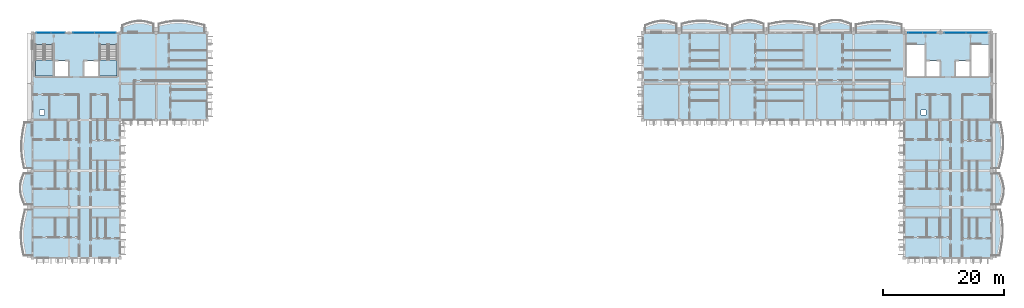
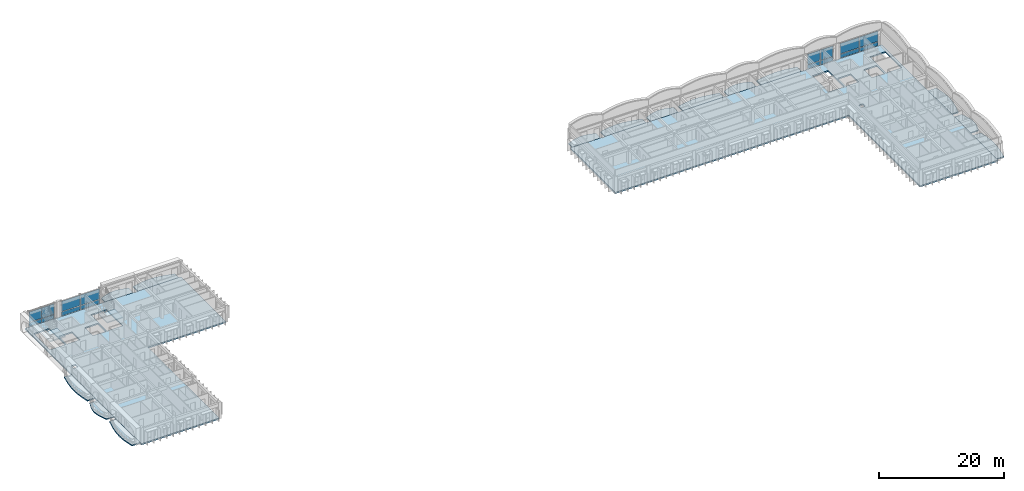
# One storey, part 5 of 28: 18 slabs, 16 plates, 6 elements without a shape of their own.
"""IFC4 building model written with IfcOpenShell, lengths in metres."""

from ifc_helpers import new_model, si_unit, direction, frame, origin, origin_2d, place, context, subcontext, project, spatial, polyline, rectangle, outline, extrude, material, layer, layer_set, type_object, element, aggregate, save


model = new_model("IFC4")

# Units and contexts
model_context = context("Model", 3, precision=1e-05, world=origin(), true_north=direction((0.0, 1.0)))
body_context = subcontext(model_context, "Body", "Model", "MODEL_VIEW")
ifc_project = project(units=[si_unit("LENGTHUNIT", "METRE"), si_unit("AREAUNIT", "SQUARE_METRE"), si_unit("VOLUMEUNIT", "CUBIC_METRE"), si_unit("PLANEANGLEUNIT", "RADIAN"), si_unit("MASSUNIT", "GRAM", prefix="KILO"), si_unit("THERMODYNAMICTEMPERATUREUNIT", "KELVIN")], contexts=[model_context])

# Site, building, storey
site_placement = place(None, origin())
site = spatial("IfcSite", under=ifc_project, at=site_placement, CompositionType="ELEMENT")
building_placement = place(site_placement, origin())
building = spatial("IfcBuilding", under=site, at=building_placement, Name="Thalorik Housing Commons", CompositionType="ELEMENT")
storey_placement = place(building_placement, frame((0.0, 0.0, 41.10009765625)))
storey = spatial("IfcBuildingStorey", under=building, at=storey_placement, Name="L12", CompositionType="ELEMENT", Elevation=41.10009765625)

# Curtain wall, plates
ifc_material_1 = material(Name="Anodised aluminium and solar-control low-E glass", Category="aluminium")
curtain_wall_type = type_object("IfcCurtainWallType", Name="ARC-CW-CORE", PredefinedType="USERDEFINED", material=ifc_material_1)
curtain_wall_1_placement = place(storey_placement, origin())
curtain_wall_1 = element("IfcCurtainWall", 1, at=curtain_wall_1_placement, inside=storey, type_object=curtain_wall_type, Name="L12 Curtain Wall CW-CORE-L12-A-054", ObjectType="CURTAIN WALL", PredefinedType="USERDEFINED")
ifc_material_2 = material(Name="Cobalt blue enamelled aluminium spandrel panel", Category="aluminium")
ifc_layer_1 = layer(ifc_material_2, 0.0458984375, Name="Cobalt blue enamelled aluminium spandrel panel", Category="aluminium")
ifc_layer_set_1 = layer_set([ifc_layer_1], Name="Cobalt blue enamelled aluminium spandrel panel")
plate_type_1 = type_object("IfcPlateType", Name="ARC-CP-BLU-46", PredefinedType="CURTAIN_PANEL", material=ifc_layer_set_1)
plate_1_placement = place(storey_placement, frame((12.574951171875, 123.60009765625, 0.080078125), z_axis=(0.0, 0.0, 1.0), x_axis=(-1.0, 0.0, 0.0)))
plate_1 = element("IfcPlate", 2, at=plate_1_placement, type_object=plate_type_1, Name="CW-CORE-L12-A-054 Spandrel Panel 1", PredefinedType="CURTAIN_PANEL", context=body_context, shape_type="SweptSolid", body=[
    extrude(rectangle(XDim=2.2900390625, YDim=0.0458984375, at=origin_2d()), origin(), (0.0, 0.0, 1.0), 0.760009765625),
])
plate_2_placement = place(storey_placement, frame((10.22509765625, 123.60009765625, 0.080078125), z_axis=(0.0, 0.0, 1.0), x_axis=(-1.0, 0.0, 0.0)))
plate_2 = element("IfcPlate", 3, at=plate_2_placement, type_object=plate_type_1, Name="CW-CORE-L12-A-054 Spandrel Panel 2", PredefinedType="CURTAIN_PANEL", context=body_context, shape_type="SweptSolid", body=[
    extrude(rectangle(XDim=2.2900390625, YDim=0.0458984375, at=origin_2d()), origin(), (0.0, 0.0, 1.0), 0.760009765625),
])

curtain_wall_2_placement = place(storey_placement, origin())
curtain_wall_2 = element("IfcCurtainWall", 4, at=curtain_wall_2_placement, inside=storey, type_object=curtain_wall_type, Name="L12 Curtain Wall CW-CORE-L12-A-053", ObjectType="CURTAIN WALL", PredefinedType="USERDEFINED")
ifc_material_3 = material(Name="Double solar-control low-E glass", Category="glass")
ifc_layer_2 = layer(ifc_material_3, 0.028076171875, Name="Double solar-control low-E glass", Category="glass")
ifc_layer_set_2 = layer_set([ifc_layer_2], Name="Double solar-control low-E glass")
plate_type_2 = type_object("IfcPlateType", Name="ARC-CP-GLZ-28", PredefinedType="CURTAIN_PANEL", material=ifc_layer_set_2)
plate_3_placement = place(storey_placement, frame((20.375, 123.60009765625, 0.919921875), z_axis=(0.0, 0.0, 1.0), x_axis=(-1.0, 0.0, 0.0)))
plate_3 = element("IfcPlate", 5, at=plate_3_placement, type_object=plate_type_2, Name="CW-CORE-L12-A-053 Vision Panel 1", PredefinedType="CURTAIN_PANEL", context=body_context, shape_type="SweptSolid", body=[
    extrude(rectangle(XDim=3.489990234375, YDim=0.028076171875, at=origin_2d()), origin(), (0.0, 0.0, 1.0), 2.0400390625),
])
plate_4_placement = place(storey_placement, frame((16.824951171875, 123.60009765625, 0.919921875), z_axis=(0.0, 0.0, 1.0), x_axis=(-1.0, 0.0, 0.0)))
plate_4 = element("IfcPlate", 6, at=plate_4_placement, type_object=plate_type_2, Name="CW-CORE-L12-A-053 Vision Panel 2", PredefinedType="CURTAIN_PANEL", context=body_context, shape_type="SweptSolid", body=[
    extrude(rectangle(XDim=3.489990234375, YDim=0.028076171875, at=origin_2d()), origin(), (0.0, 0.0, 1.0), 2.0400390625),
])

# Plate
plate_5_placement = place(storey_placement, frame((12.574951171875, 123.60009765625, 0.919921875), z_axis=(0.0, 0.0, 1.0), x_axis=(-1.0, 0.0, 0.0)))
plate_5 = element("IfcPlate", 7, at=plate_5_placement, type_object=plate_type_2, Name="CW-CORE-L12-A-054 Vision Panel 1", PredefinedType="CURTAIN_PANEL", context=body_context, shape_type="SweptSolid", body=[
    extrude(rectangle(XDim=2.2900390625, YDim=0.028076171875, at=origin_2d()), origin(), (0.0, 0.0, 1.0), 2.0400390625),
])

plate_6_placement = place(storey_placement, frame((10.22509765625, 123.60009765625, 0.919921875), z_axis=(0.0, 0.0, 1.0), x_axis=(-1.0, 0.0, 0.0)))
plate_6 = element("IfcPlate", 8, at=plate_6_placement, type_object=plate_type_2, Name="CW-CORE-L12-A-054 Vision Panel 2", PredefinedType="CURTAIN_PANEL", context=body_context, shape_type="SweptSolid", body=[
    extrude(rectangle(XDim=2.2900390625, YDim=0.028076171875, at=origin_2d()), origin(), (0.0, 0.0, 1.0), 2.0400390625),
])

aggregate(curtain_wall_1, [plate_1, plate_5, plate_2, plate_6])

# Curtain wall, plates
curtain_wall_3_placement = place(storey_placement, origin())
curtain_wall_3 = element("IfcCurtainWall", 9, at=curtain_wall_3_placement, inside=storey, type_object=curtain_wall_type, Name="L12 Curtain Wall CW-CORE-L12-B-125", ObjectType="CURTAIN WALL", PredefinedType="USERDEFINED")
plate_7_placement = place(storey_placement, frame((164.375, 123.60009765625, 0.919921875), z_axis=(0.0, 0.0, 1.0), x_axis=(-1.0, 0.0, 0.0)))
plate_7 = element("IfcPlate", 10, at=plate_7_placement, type_object=plate_type_2, Name="CW-CORE-L12-B-125 Vision Panel 1", PredefinedType="CURTAIN_PANEL", context=body_context, shape_type="SweptSolid", body=[
    extrude(rectangle(XDim=3.489990234375, YDim=0.028076171875, at=origin_2d()), origin(), (0.0, 0.0, 1.0), 2.0400390625),
])
plate_8_placement = place(storey_placement, frame((160.824951171875, 123.60009765625, 0.919921875), z_axis=(0.0, 0.0, 1.0), x_axis=(-1.0, 0.0, 0.0)))
plate_8 = element("IfcPlate", 11, at=plate_8_placement, type_object=plate_type_2, Name="CW-CORE-L12-B-125 Vision Panel 2", PredefinedType="CURTAIN_PANEL", context=body_context, shape_type="SweptSolid", body=[
    extrude(rectangle(XDim=3.489990234375, YDim=0.028076171875, at=origin_2d()), origin(), (0.0, 0.0, 1.0), 2.0400390625),
])

curtain_wall_4_placement = place(storey_placement, origin())
curtain_wall_4 = element("IfcCurtainWall", 12, at=curtain_wall_4_placement, inside=storey, type_object=curtain_wall_type, Name="L12 Curtain Wall CW-CORE-L12-B-126", ObjectType="CURTAIN WALL", PredefinedType="USERDEFINED")
plate_9_placement = place(storey_placement, frame((156.574951171875, 123.60009765625, 0.919921875), z_axis=(0.0, 0.0, 1.0), x_axis=(-1.0, 0.0, 0.0)))
plate_9 = element("IfcPlate", 13, at=plate_9_placement, type_object=plate_type_2, Name="CW-CORE-L12-B-126 Vision Panel 1", PredefinedType="CURTAIN_PANEL", context=body_context, shape_type="SweptSolid", body=[
    extrude(rectangle(XDim=2.2900390625, YDim=0.028076171875, at=origin_2d()), origin(), (0.0, 0.0, 1.0), 2.0400390625),
])
plate_10_placement = place(storey_placement, frame((154.22509765625, 123.60009765625, 0.919921875), z_axis=(0.0, 0.0, 1.0), x_axis=(-1.0, 0.0, 0.0)))
plate_10 = element("IfcPlate", 14, at=plate_10_placement, type_object=plate_type_2, Name="CW-CORE-L12-B-126 Vision Panel 2", PredefinedType="CURTAIN_PANEL", context=body_context, shape_type="SweptSolid", body=[
    extrude(rectangle(XDim=2.2900390625, YDim=0.028076171875, at=origin_2d()), origin(), (0.0, 0.0, 1.0), 2.0400390625),
])

# Plate
ifc_material_4 = material(Name="Oxide red enamelled aluminium spandrel panel", Category="aluminium")
ifc_layer_3 = layer(ifc_material_4, 0.0419921875, Name="Oxide red enamelled aluminium spandrel panel", Category="aluminium")
ifc_layer_set_3 = layer_set([ifc_layer_3], Name="Oxide red enamelled aluminium spandrel panel")
plate_type_3 = type_object("IfcPlateType", Name="ARC-CP-RED-42", PredefinedType="CURTAIN_PANEL", material=ifc_layer_set_3)
plate_11_placement = place(storey_placement, frame((20.375, 123.60009765625, 0.080078125), z_axis=(0.0, 0.0, 1.0), x_axis=(-1.0, 0.0, 0.0)))
plate_11 = element("IfcPlate", 15, at=plate_11_placement, type_object=plate_type_3, Name="CW-CORE-L12-A-053 Spandrel Panel 1", PredefinedType="CURTAIN_PANEL", context=body_context, shape_type="SweptSolid", body=[
    extrude(rectangle(XDim=3.489990234375, YDim=0.0419921875, at=origin_2d()), origin(), (0.0, 0.0, 1.0), 0.760009765625),
])

plate_12_placement = place(storey_placement, frame((16.824951171875, 123.60009765625, 0.080078125), z_axis=(0.0, 0.0, 1.0), x_axis=(-1.0, 0.0, 0.0)))
plate_12 = element("IfcPlate", 16, at=plate_12_placement, type_object=plate_type_3, Name="CW-CORE-L12-A-053 Spandrel Panel 2", PredefinedType="CURTAIN_PANEL", context=body_context, shape_type="SweptSolid", body=[
    extrude(rectangle(XDim=3.489990234375, YDim=0.0419921875, at=origin_2d()), origin(), (0.0, 0.0, 1.0), 0.760009765625),
])

aggregate(curtain_wall_2, [plate_11, plate_3, plate_12, plate_4])

plate_13_placement = place(storey_placement, frame((156.574951171875, 123.60009765625, 0.080078125), z_axis=(0.0, 0.0, 1.0), x_axis=(-1.0, 0.0, 0.0)))
plate_13 = element("IfcPlate", 17, at=plate_13_placement, type_object=plate_type_3, Name="CW-CORE-L12-B-126 Spandrel Panel 1", PredefinedType="CURTAIN_PANEL", context=body_context, shape_type="SweptSolid", body=[
    extrude(rectangle(XDim=2.2900390625, YDim=0.0419921875, at=origin_2d()), origin(), (0.0, 0.0, 1.0), 0.760009765625),
])

plate_14_placement = place(storey_placement, frame((154.22509765625, 123.60009765625, 0.080078125), z_axis=(0.0, 0.0, 1.0), x_axis=(-1.0, 0.0, 0.0)))
plate_14 = element("IfcPlate", 18, at=plate_14_placement, type_object=plate_type_3, Name="CW-CORE-L12-B-126 Spandrel Panel 2", PredefinedType="CURTAIN_PANEL", context=body_context, shape_type="SweptSolid", body=[
    extrude(rectangle(XDim=2.2900390625, YDim=0.0419921875, at=origin_2d()), origin(), (0.0, 0.0, 1.0), 0.760009765625),
])

aggregate(curtain_wall_4, [plate_13, plate_9, plate_14, plate_10])

ifc_material_5 = material(Name="Mineral ochre yellow aluminium spandrel panel", Category="aluminium")
ifc_layer_4 = layer(ifc_material_5, 0.050048828125, Name="Mineral ochre yellow aluminium spandrel panel", Category="aluminium")
ifc_layer_set_4 = layer_set([ifc_layer_4], Name="Mineral ochre yellow aluminium spandrel panel")
plate_type_4 = type_object("IfcPlateType", Name="ARC-CP-YEL-50", PredefinedType="CURTAIN_PANEL", material=ifc_layer_set_4)
plate_15_placement = place(storey_placement, frame((164.375, 123.60009765625, 0.080078125), z_axis=(0.0, 0.0, 1.0), x_axis=(-1.0, 0.0, 0.0)))
plate_15 = element("IfcPlate", 19, at=plate_15_placement, type_object=plate_type_4, Name="CW-CORE-L12-B-125 Spandrel Panel 1", PredefinedType="CURTAIN_PANEL", context=body_context, shape_type="SweptSolid", body=[
    extrude(rectangle(XDim=3.489990234375, YDim=0.050048828125, at=origin_2d()), origin(), (0.0, 0.0, 1.0), 0.760009765625),
])

plate_16_placement = place(storey_placement, frame((160.824951171875, 123.60009765625, 0.080078125), z_axis=(0.0, 0.0, 1.0), x_axis=(-1.0, 0.0, 0.0)))
plate_16 = element("IfcPlate", 20, at=plate_16_placement, type_object=plate_type_4, Name="CW-CORE-L12-B-125 Spandrel Panel 2", PredefinedType="CURTAIN_PANEL", context=body_context, shape_type="SweptSolid", body=[
    extrude(rectangle(XDim=3.489990234375, YDim=0.050048828125, at=origin_2d()), origin(), (0.0, 0.0, 1.0), 0.760009765625),
])

aggregate(curtain_wall_3, [plate_15, plate_7, plate_16, plate_8])

# Stair, slab
ifc_material_6 = material(Name="Precast concrete C40/50", Category="concrete")
stair_type = type_object("IfcStairType", Name="ARC-STR-1350-R20", PredefinedType="HALF_TURN_STAIR", material=ifc_material_6)
stair_1_placement = place(storey_placement, origin())
stair_1 = element("IfcStair", 21, at=stair_1_placement, inside=storey, type_object=stair_type, Name="L12 Block A Smoke-Proof Stair 1", PredefinedType="HALF_TURN_STAIR")
ifc_layer_5 = layer(ifc_material_6, 0.199951171875, Name="Precast concrete C40/50", Category="concrete")
ifc_layer_set_5 = layer_set([ifc_layer_5], Name="Precast concrete C40/50")
slab_type_1 = type_object("IfcSlabType", Name="ARC-SLB-STLND-200", PredefinedType="LANDING", material=ifc_layer_set_5)
slab_1_placement = place(storey_placement, frame((0.0, 0.0, 1.449951171875)))
slab_1 = element("IfcSlab", 22, at=slab_1_placement, type_object=slab_type_1, Name="ST-A1 landing 1", PredefinedType="LANDING", context=body_context, shape_type="SweptSolid", body=[
    extrude(outline(polyline([(8.85009765625, 119.090087890625), (8.85009765625, 116.449951171875), (11.75, 116.449951171875), (11.75, 119.090087890625), (8.85009765625, 119.090087890625)])), origin(), (0.0, 0.0, 1.0), 0.199951171875),
])
aggregate(stair_1, [slab_1])

stair_2_placement = place(storey_placement, origin())
stair_2 = element("IfcStair", 23, at=stair_2_placement, inside=storey, type_object=stair_type, Name="L12 Block A Smoke-Proof Stair 2", PredefinedType="HALF_TURN_STAIR")
slab_2_placement = place(storey_placement, frame((0.0, 0.0, 1.449951171875)))
slab_2 = element("IfcSlab", 24, at=slab_2_placement, type_object=slab_type_1, Name="ST-A2 landing 1", PredefinedType="LANDING", context=body_context, shape_type="SweptSolid", body=[
    extrude(outline(polyline([(19.449951171875, 119.090087890625), (19.449951171875, 116.449951171875), (22.35009765625, 116.449951171875), (22.35009765625, 119.090087890625), (19.449951171875, 119.090087890625)])), origin(), (0.0, 0.0, 1.0), 0.199951171875),
])
aggregate(stair_2, [slab_2])

# Slabs
ifc_layer_6 = layer(ifc_material_6, 0.199951171875, Name="Precast concrete C40/50", Category="concrete")
ifc_layer_set_6 = layer_set([ifc_layer_6], Name="Precast concrete C40/50")
slab_type_2 = type_object("IfcSlabType", Name="STR-SLB-BALC-200", PredefinedType="FLOOR", material=ifc_layer_set_6)
slab_3_placement = place(storey_placement, frame((0.0, 0.0, -0.2001953125)))
element("IfcSlab", 25, at=slab_3_placement, inside=storey, type_object=slab_type_2, Name="L12 Block A Cushion Balcony 81", PredefinedType="FLOOR", context=body_context, shape_type="SweptSolid", body=[
    extrude(outline(polyline([(23.219970703125, 123.60009765625), (28.3798828125, 123.60009765625), (28.3798828125, 125.0595703125), (27.949951171875, 125.201904296875), (27.52001953125, 125.330810546875), (27.090087890625, 125.43701171875), (26.659912109375, 125.512451171875), (26.22998046875, 125.55126953125), (25.800048828125, 125.55029296875), (25.3701171875, 125.50830078125), (24.93994140625, 125.42822265625), (24.510009765625, 125.314453125), (24.080078125, 125.174072265625), (23.64990234375, 125.0166015625), (23.219970703125, 124.85205078125), (23.219970703125, 123.60009765625)])), origin(), (0.0, 0.0, 1.0), 0.2001953125),
])
slab_4_placement = place(storey_placement, frame((0.0, 0.0, -0.2001953125)))
element("IfcSlab", 26, at=slab_4_placement, inside=storey, type_object=slab_type_2, Name="L12 Block A Cushion Balcony 84", PredefinedType="FLOOR", context=body_context, shape_type="SweptSolid", body=[
    extrude(outline(polyline([(8.39990234375, 95.219970703125), (8.39990234375, 100.3798828125), (6.925048828125, 100.3798828125), (6.75830078125, 99.949951171875), (6.6064453125, 99.52001953125), (6.479736328125, 99.090087890625), (6.38671875, 98.659912109375), (6.33349609375, 98.22998046875), (6.32470703125, 97.800048828125), (6.360595703125, 97.3701171875), (6.439697265625, 96.93994140625), (6.55712890625, 96.510009765625), (6.705322265625, 96.080078125), (6.875244140625, 95.64990234375), (7.0556640625, 95.219970703125), (8.39990234375, 95.219970703125)])), origin(), (0.0, 0.0, 1.0), 0.2001953125),
])
slab_5_placement = place(storey_placement, frame((0.0, 0.0, -0.2001953125)))
element("IfcSlab", 27, at=slab_5_placement, inside=storey, type_object=slab_type_2, Name="L12 Block B Cushion Balcony 242", PredefinedType="FLOOR", context=body_context, shape_type="SweptSolid", body=[
    extrude(outline(polyline([(109.6201171875, 123.60009765625), (114.780029296875, 123.60009765625), (114.780029296875, 125.0595703125), (114.35009765625, 125.201904296875), (113.919921875, 125.330810546875), (113.489990234375, 125.43701171875), (113.06005859375, 125.512451171875), (112.6298828125, 125.55126953125), (112.199951171875, 125.55029296875), (111.77001953125, 125.50830078125), (111.340087890625, 125.42822265625), (110.909912109375, 125.314453125), (110.47998046875, 125.174072265625), (110.050048828125, 125.0166015625), (109.6201171875, 124.85205078125), (109.6201171875, 123.60009765625)])), origin(), (0.0, 0.0, 1.0), 0.2001953125),
])
slab_6_placement = place(storey_placement, frame((0.0, 0.0, -0.2001953125)))
element("IfcSlab", 28, at=slab_6_placement, inside=storey, type_object=slab_type_2, Name="L12 Block B Cushion Balcony 244", PredefinedType="FLOOR", context=body_context, shape_type="SweptSolid", body=[
    extrude(outline(polyline([(124.02001953125, 123.60009765625), (129.179931640625, 123.60009765625), (129.179931640625, 125.087646484375), (128.75, 125.24560546875), (128.320068359375, 125.388916015625), (127.889892578125, 125.507080078125), (127.4599609375, 125.592041015625), (127.030029296875, 125.6376953125), (126.60009765625, 125.640380859375), (126.169921875, 125.599365234375), (125.739990234375, 125.5166015625), (125.31005859375, 125.397216796875), (124.8798828125, 125.248291015625), (124.449951171875, 125.07958984375), (124.02001953125, 124.901611328125), (124.02001953125, 123.60009765625)])), origin(), (0.0, 0.0, 1.0), 0.2001953125),
])
slab_7_placement = place(storey_placement, frame((0.0, 0.0, -0.2001953125)))
element("IfcSlab", 29, at=slab_7_placement, inside=storey, type_object=slab_type_2, Name="L12 Block B Cushion Balcony 246", PredefinedType="FLOOR", context=body_context, shape_type="SweptSolid", body=[
    extrude(outline(polyline([(138.419921875, 123.60009765625), (143.580078125, 123.60009765625), (143.580078125, 125.04638671875), (143.14990234375, 125.22021484375), (142.719970703125, 125.380126953125), (142.2900390625, 125.515380859375), (141.860107421875, 125.6171875), (141.429931640625, 125.6787109375), (141.0, 125.69580078125), (140.570068359375, 125.667236328125), (140.139892578125, 125.5947265625), (139.7099609375, 125.482421875), (139.280029296875, 125.338134765625), (138.85009765625, 125.17041015625), (138.419921875, 124.99072265625), (138.419921875, 123.60009765625)])), origin(), (0.0, 0.0, 1.0), 0.2001953125),
])
slab_8_placement = place(storey_placement, frame((0.0, 0.0, -0.2001953125)))
element("IfcSlab", 30, at=slab_8_placement, inside=storey, type_object=slab_type_2, Name="L12 Block B Cushion Balcony 249", PredefinedType="FLOOR", context=body_context, shape_type="SweptSolid", body=[
    extrude(outline(polyline([(168.285400390625, 95.219970703125), (168.4462890625, 95.64990234375), (168.59228515625, 96.080078125), (168.71337890625, 96.510009765625), (168.801025390625, 96.93994140625), (168.848876953125, 97.3701171875), (168.853515625, 97.800048828125), (168.813720703125, 98.22998046875), (168.731689453125, 98.659912109375), (168.612548828125, 99.090087890625), (168.463623046875, 99.52001953125), (168.294189453125, 99.949951171875), (168.114990234375, 100.3798828125), (166.800048828125, 100.3798828125), (166.800048828125, 95.219970703125), (168.285400390625, 95.219970703125)])), origin(), (0.0, 0.0, 1.0), 0.2001953125),
])
ifc_layer_7 = layer(ifc_material_6, 0.219970703125, Name="Precast concrete C40/50", Category="concrete")
ifc_layer_set_7 = layer_set([ifc_layer_7], Name="Precast concrete C40/50")
slab_type_3 = type_object("IfcSlabType", Name="STR-SLB-BALC-220", PredefinedType="FLOOR", material=ifc_layer_set_7)
slab_9_placement = place(storey_placement, frame((0.0, 0.0, -0.22021484375)))
element("IfcSlab", 31, at=slab_9_placement, inside=storey, type_object=slab_type_3, Name="L12 Block A Cushion Balcony 82", PredefinedType="FLOOR", context=body_context, shape_type="SweptSolid", body=[
    extrude(outline(polyline([(29.219970703125, 123.60009765625), (36.780029296875, 123.60009765625), (36.780029296875, 124.8525390625), (36.14990234375, 125.0087890625), (35.52001953125, 125.162841796875), (34.889892578125, 125.3046875), (34.260009765625, 125.424072265625), (33.6298828125, 125.51318359375), (33.0, 125.5654296875), (32.3701171875, 125.5771484375), (31.739990234375, 125.54736328125), (31.110107421875, 125.477783203125), (30.47998046875, 125.373046875), (29.85009765625, 125.239990234375), (29.219970703125, 125.087890625), (29.219970703125, 123.60009765625)])), origin(), (0.0, 0.0, 1.0), 0.22021484375),
])
slab_10_placement = place(storey_placement, frame((0.0, 0.0, -0.22021484375)))
element("IfcSlab", 32, at=slab_10_placement, inside=storey, type_object=slab_type_3, Name="L12 Block A Cushion Balcony 83", PredefinedType="FLOOR", context=body_context, shape_type="SweptSolid", body=[
    extrude(outline(polyline([(8.39990234375, 86.820068359375), (8.39990234375, 94.3798828125), (7.129150390625, 94.3798828125), (6.9853515625, 93.75), (6.84375, 93.1201171875), (6.71435546875, 92.489990234375), (6.605712890625, 91.860107421875), (6.525146484375, 91.22998046875), (6.478515625, 90.60009765625), (6.468994140625, 89.969970703125), (6.497802734375, 89.340087890625), (6.56298828125, 88.7099609375), (6.66015625, 88.080078125), (6.783203125, 87.449951171875), (6.923583984375, 86.820068359375), (8.39990234375, 86.820068359375)])), origin(), (0.0, 0.0, 1.0), 0.22021484375),
])
slab_11_placement = place(storey_placement, frame((0.0, 0.0, -0.22021484375)))
element("IfcSlab", 33, at=slab_11_placement, inside=storey, type_object=slab_type_3, Name="L12 Block A Cushion Balcony 85", PredefinedType="FLOOR", context=body_context, shape_type="SweptSolid", body=[
    extrude(outline(polyline([(8.39990234375, 101.219970703125), (8.39990234375, 108.780029296875), (7.052734375, 108.780029296875), (6.92529296875, 108.14990234375), (6.8046875, 107.52001953125), (6.698974609375, 106.889892578125), (6.614990234375, 106.260009765625), (6.558837890625, 105.6298828125), (6.533935546875, 105.0), (6.5419921875, 104.3701171875), (6.5830078125, 103.739990234375), (6.65380859375, 103.110107421875), (6.749755859375, 102.47998046875), (6.86474609375, 101.85009765625), (6.9912109375, 101.219970703125), (8.39990234375, 101.219970703125)])), origin(), (0.0, 0.0, 1.0), 0.22021484375),
])
slab_12_placement = place(storey_placement, frame((0.0, 0.0, -0.22021484375)))
element("IfcSlab", 34, at=slab_12_placement, inside=storey, type_object=slab_type_3, Name="L12 Block B Cushion Balcony 243", PredefinedType="FLOOR", context=body_context, shape_type="SweptSolid", body=[
    extrude(outline(polyline([(115.6201171875, 123.60009765625), (123.179931640625, 123.60009765625), (123.179931640625, 124.8525390625), (122.550048828125, 125.0087890625), (121.919921875, 125.162841796875), (121.2900390625, 125.3046875), (120.659912109375, 125.424072265625), (120.030029296875, 125.51318359375), (119.39990234375, 125.5654296875), (118.77001953125, 125.5771484375), (118.139892578125, 125.54736328125), (117.510009765625, 125.477783203125), (116.8798828125, 125.373046875), (116.25, 125.239990234375), (115.6201171875, 125.087890625), (115.6201171875, 123.60009765625)])), origin(), (0.0, 0.0, 1.0), 0.22021484375),
])
slab_13_placement = place(storey_placement, frame((0.0, 0.0, -0.22021484375)))
element("IfcSlab", 35, at=slab_13_placement, inside=storey, type_object=slab_type_3, Name="L12 Block B Cushion Balcony 245", PredefinedType="FLOOR", context=body_context, shape_type="SweptSolid", body=[
    extrude(outline(polyline([(130.02001953125, 123.60009765625), (137.580078125, 123.60009765625), (137.580078125, 124.904296875), (136.949951171875, 125.037841796875), (136.320068359375, 125.16748046875), (135.68994140625, 125.284423828125), (135.06005859375, 125.380615234375), (134.429931640625, 125.44970703125), (133.800048828125, 125.486572265625), (133.169921875, 125.489013671875), (132.5400390625, 125.456298828125), (131.909912109375, 125.390869140625), (131.280029296875, 125.296630859375), (130.64990234375, 125.179931640625), (130.02001953125, 125.048583984375), (130.02001953125, 123.60009765625)])), origin(), (0.0, 0.0, 1.0), 0.22021484375),
])
slab_14_placement = place(storey_placement, frame((0.0, 0.0, -0.22021484375)))
element("IfcSlab", 36, at=slab_14_placement, inside=storey, type_object=slab_type_3, Name="L12 Block B Cushion Balcony 247", PredefinedType="FLOOR", context=body_context, shape_type="SweptSolid", body=[
    extrude(outline(polyline([(144.419921875, 123.60009765625), (151.97998046875, 123.60009765625), (151.97998046875, 124.99365234375), (151.35009765625, 125.11962890625), (150.719970703125, 125.2353515625), (150.090087890625, 125.3330078125), (149.4599609375, 125.406494140625), (148.830078125, 125.45068359375), (148.199951171875, 125.462890625), (147.570068359375, 125.4423828125), (146.93994140625, 125.390380859375), (146.31005859375, 125.310302734375), (145.679931640625, 125.20751953125), (145.050048828125, 125.089111328125), (144.419921875, 124.962890625), (144.419921875, 123.60009765625)])), origin(), (0.0, 0.0, 1.0), 0.22021484375),
])
slab_15_placement = place(storey_placement, frame((0.0, 0.0, -0.22021484375)))
element("IfcSlab", 37, at=slab_15_placement, inside=storey, type_object=slab_type_3, Name="L12 Block B Cushion Balcony 248", PredefinedType="FLOOR", context=body_context, shape_type="SweptSolid", body=[
    extrude(outline(polyline([(168.117919921875, 86.820068359375), (168.248779296875, 87.449951171875), (168.375244140625, 88.080078125), (168.488037109375, 88.7099609375), (168.580078125, 89.340087890625), (168.644775390625, 89.969970703125), (168.677978515625, 90.60009765625), (168.677001953125, 91.22998046875), (168.64208984375, 91.860107421875), (168.575439453125, 92.489990234375), (168.481201171875, 93.1201171875), (168.365478515625, 93.75), (168.236328125, 94.3798828125), (166.800048828125, 94.3798828125), (166.800048828125, 86.820068359375), (168.117919921875, 86.820068359375)])), origin(), (0.0, 0.0, 1.0), 0.22021484375),
])
slab_16_placement = place(storey_placement, frame((0.0, 0.0, -0.22021484375)))
element("IfcSlab", 38, at=slab_16_placement, inside=storey, type_object=slab_type_3, Name="L12 Block B Cushion Balcony 250", PredefinedType="FLOOR", context=body_context, shape_type="SweptSolid", body=[
    extrude(outline(polyline([(168.056884765625, 101.219970703125), (168.208740234375, 101.85009765625), (168.358642578125, 102.47998046875), (168.496337890625, 103.110107421875), (168.61279296875, 103.739990234375), (168.69921875, 104.3701171875), (168.750244140625, 105.0), (168.76171875, 105.6298828125), (168.73291015625, 106.260009765625), (168.665283203125, 106.889892578125), (168.5634765625, 107.52001953125), (168.43408203125, 108.14990234375), (168.285888671875, 108.780029296875), (166.800048828125, 108.780029296875), (166.800048828125, 101.219970703125), (168.056884765625, 101.219970703125)])), origin(), (0.0, 0.0, 1.0), 0.22021484375),
])
ifc_material_7 = material(Name="Precast concrete C45/55", Category="concrete")
ifc_layer_8 = layer(ifc_material_7, 0.260009765625, Name="Precast concrete C45/55", Category="concrete")
ifc_layer_set_8 = layer_set([ifc_layer_8], Name="Precast concrete C45/55")
slab_type_4 = type_object("IfcSlabType", Name="STR-SLB-HC-260", PredefinedType="FLOOR", material=ifc_layer_set_8)
slab_17_placement = place(storey_placement, frame((0.0, 0.0, -0.260009765625)))
element("IfcSlab", 39, at=slab_17_placement, inside=storey, type_object=slab_type_4, Name="L12 Residential Block A Floor Slab", PredefinedType="FLOOR", context=body_context, shape_type="SweptSolid", body=[
    extrude(outline(polyline([(8.39990234375, 123.60009765625), (8.39990234375, 109.199951171875), (8.39990234375, 86.39990234375), (22.800048828125, 86.39990234375), (22.800048828125, 109.199951171875), (37.199951171875, 109.199951171875), (37.199951171875, 123.60009765625), (8.39990234375, 123.60009765625)]), holes=[polyline([(8.85009765625, 121.64990234375), (11.75, 121.64990234375), (11.75, 116.449951171875), (8.85009765625, 116.449951171875), (8.85009765625, 121.64990234375)]), polyline([(22.35009765625, 121.64990234375), (22.35009765625, 116.449951171875), (19.449951171875, 116.449951171875), (19.449951171875, 121.64990234375), (22.35009765625, 121.64990234375)]), polyline([(14.39990234375, 119.0), (14.39990234375, 116.449951171875), (12.0, 116.449951171875), (12.0, 119.0), (14.39990234375, 119.0)]), polyline([(19.199951171875, 116.449951171875), (16.800048828125, 116.449951171875), (16.800048828125, 119.0), (19.199951171875, 119.0), (19.199951171875, 116.449951171875)]), polyline([(9.550048828125, 110.050048828125), (9.550048828125, 110.85009765625), (10.35009765625, 110.85009765625), (10.35009765625, 110.050048828125), (9.550048828125, 110.050048828125)])]), origin(), (0.0, 0.0, 1.0), 0.260009765625),
])
slab_18_placement = place(storey_placement, frame((0.0, 0.0, -0.260009765625)))
element("IfcSlab", 40, at=slab_18_placement, inside=storey, type_object=slab_type_4, Name="L12 Residential Block B Floor Slab", PredefinedType="FLOOR", context=body_context, shape_type="SweptSolid", body=[
    extrude(outline(polyline([(109.199951171875, 109.199951171875), (152.39990234375, 109.199951171875), (152.39990234375, 86.39990234375), (166.800048828125, 86.39990234375), (166.800048828125, 109.199951171875), (166.800048828125, 123.60009765625), (109.199951171875, 123.60009765625), (109.199951171875, 109.199951171875)]), holes=[polyline([(152.85009765625, 121.64990234375), (155.75, 121.64990234375), (155.75, 116.449951171875), (152.85009765625, 116.449951171875), (152.85009765625, 121.64990234375)]), polyline([(166.35009765625, 121.64990234375), (166.35009765625, 116.449951171875), (163.449951171875, 116.449951171875), (163.449951171875, 121.64990234375), (166.35009765625, 121.64990234375)]), polyline([(158.39990234375, 119.0), (158.39990234375, 116.449951171875), (156.0, 116.449951171875), (156.0, 119.0), (158.39990234375, 119.0)]), polyline([(163.199951171875, 116.449951171875), (160.800048828125, 116.449951171875), (160.800048828125, 119.0), (163.199951171875, 119.0), (163.199951171875, 116.449951171875)]), polyline([(155.14990234375, 110.050048828125), (155.14990234375, 110.85009765625), (155.949951171875, 110.85009765625), (155.949951171875, 110.050048828125), (155.14990234375, 110.050048828125)])]), origin(), (0.0, 0.0, 1.0), 0.260009765625),
])

save(model, "model.ifc")
